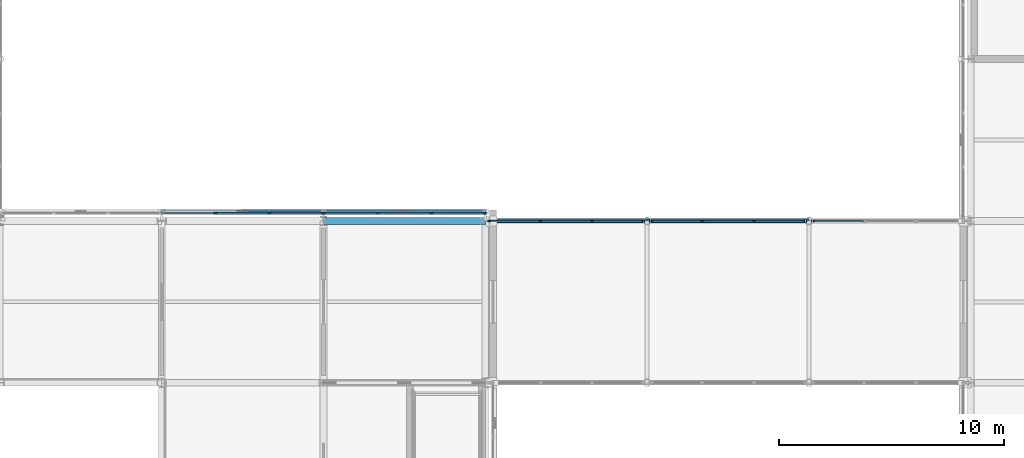
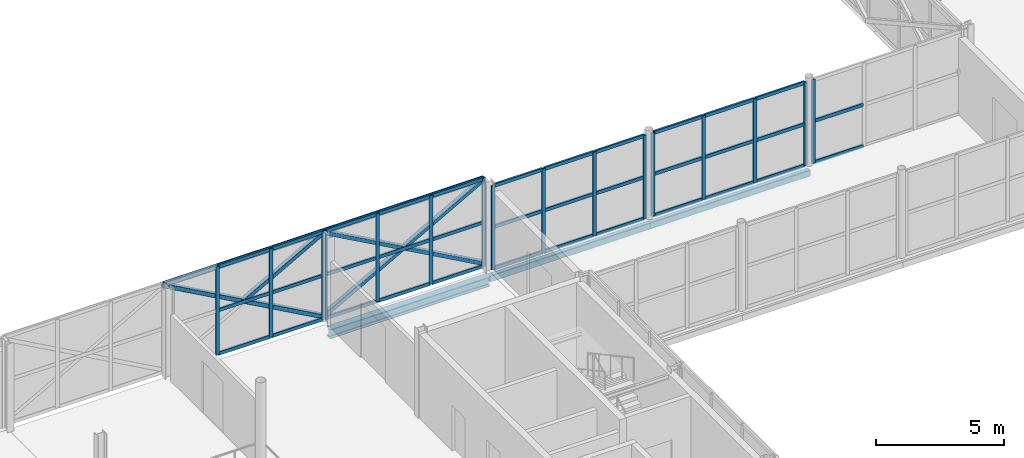
# One storey, part 47 of 146: 58 members, 3 beams, 5 elements without a shape of their own.
"""IFC4 building model written with IfcOpenShell, lengths in metres."""

from ifc_helpers import new_model, si_unit, direction, frame, origin, origin_2d, place, context, subcontext, project, spatial, rectangle, hollow_rectangle, i_section, extrude, material, material_profile, profile_set, type_object, element, aggregate, save


model = new_model("IFC4")

# Units and contexts
model_context = context("Model", 3, precision=1e-05, world=origin(), true_north=direction((0.0, 1.0)))
body_context = subcontext(model_context, "Body", "Model", "MODEL_VIEW")
ifc_project = project(units=[si_unit("LENGTHUNIT", "METRE"), si_unit("AREAUNIT", "SQUARE_METRE"), si_unit("VOLUMEUNIT", "CUBIC_METRE"), si_unit("PLANEANGLEUNIT", "RADIAN"), si_unit("MASSUNIT", "GRAM", prefix="KILO")], contexts=[model_context])

# Site, building, storey
site_placement = place(None, origin())
site = spatial("IfcSite", under=ifc_project, at=site_placement, CompositionType="ELEMENT")
building_placement = place(site_placement, origin())
building = spatial("IfcBuilding", under=site, at=building_placement, Name="Zlatovets Crest Museum", CompositionType="ELEMENT")
storey_placement = place(building_placement, frame((0.0, 0.0, 4.5)))
storey = spatial("IfcBuildingStorey", under=building, at=storey_placement, Name="L01", CompositionType="ELEMENT", Elevation=4.5)

# Beams
ifc_material_1 = material(Name="Structural steel S355J2", Category="steel")
ifc_material_profile_1 = material_profile(ifc_material_1, i_section(OverallWidth=0.300048828125, OverallDepth=0.43994140625, WebThickness=0.011474609375, FlangeThickness=0.02099609375, FilletRadius=0.027099609375, at=origin_2d()), Name="HEA 450")
ifc_profile_set_1 = profile_set([ifc_material_profile_1], Name="Structural steel S355J2")
beam_type_1 = type_object("IfcBeamType", Name="Beam_B-10", PredefinedType="BEAM", material=ifc_profile_set_1)
beam_placement = place(storey_placement, frame((100.800048828125, 28.800048828125, -0.43994140625), z_axis=(1.0, 0.0, 0.0), x_axis=(0.0, 1.0, 0.0)))
element("IfcBeam", 1, at=beam_placement, inside=storey, type_object=beam_type_1, Name="V2 L01 Primary Girder B-10", PredefinedType="BEAM", context=body_context, shape_type="SweptSolid", body=[
    extrude(i_section(OverallWidth=0.300048828125, OverallDepth=0.43994140625, WebThickness=0.011474609375, FlangeThickness=0.02099609375, FilletRadius=0.027099609375, at=origin_2d()), origin(), (0.0, 0.0, 1.0), 7.199951171875),
])
ifc_material_profile_2 = material_profile(ifc_material_1, hollow_rectangle(XDim=0.199951171875, YDim=0.300048828125, WallThickness=0.012451171875, InnerFilletRadius=0.012451171875, OuterFilletRadius=0.02490234375, at=origin_2d()), Name="RHS 200x300x12.5")
ifc_profile_set_2 = profile_set([ifc_material_profile_2], Name="Structural steel S355J2")
beam_type_2 = type_object("IfcBeamType", Name="Beam_BRG-01", PredefinedType="BEAM", material=ifc_profile_set_2)
for number, where, z_axis, x_axis, name in (
    (2, (108.0, 28.800048828125, -0.3701171875), (1.0, 0.0, 0.0), (0.0, 1.0, 0.0), "Southeast Archive Glazed Link Bridge L01 Stringer Beam"),
    (3, (115.199951171875, 28.800048828125, -0.3701171875), (1.0, 0.0, 0.0), (0.0, 1.0, 0.0), "Southeast Archive Glazed Link Bridge L01 Stringer Beam"),
):
    element("IfcBeam", number, at=place(storey_placement, frame(where, z_axis=z_axis, x_axis=x_axis)), inside=storey, type_object=beam_type_2, Name=name, PredefinedType="BEAM", context=body_context, shape_type="SweptSolid", body=[
        extrude(hollow_rectangle(XDim=0.199951171875, YDim=0.300048828125, WallThickness=0.012451171875, InnerFilletRadius=0.012451171875, OuterFilletRadius=0.02490234375, at=origin_2d()), origin(), (0.0, 0.0, 1.0), 7.199951171875),
    ])

# Curtain wall, members
ifc_material_2 = material(Name="Bronze-anodised aluminium and low-E triple glass", Category="aluminium")
curtain_wall_type_1 = type_object("IfcCurtainWallType", Name="CW_CW-V2-L01-M3", PredefinedType="NOTDEFINED", material=ifc_material_2)
curtain_wall_1_placement = place(storey_placement, origin())
curtain_wall_1 = element("IfcCurtainWall", 4, at=curtain_wall_1_placement, inside=storey, type_object=curtain_wall_type_1, Name="V2 L01 Secession Foyer Clear Curtain Wall", PredefinedType="NOTDEFINED")
ifc_material_3 = material(Name="Bronze-anodised aluminium EN AW-6060", Category="aluminium")
ifc_material_profile_3 = material_profile(ifc_material_3, rectangle(XDim=0.080078125, YDim=0.159912109375, at=origin_2d()), Name="ALU 80x160")
ifc_profile_set_3 = profile_set([ifc_material_profile_3], Name="Bronze-anodised aluminium EN AW-6060")
member_type_1 = type_object("IfcMemberType", Name="CWMull_M1", PredefinedType="MULLION", material=ifc_profile_set_3)
member_1_placement = place(storey_placement, frame((107.969970703125, 29.139892578125, 0.0), z_axis=(0.0, 0.0, 1.0), x_axis=(0.0, -1.0, 0.0)))
member_1 = element("IfcMember", 5, at=member_1_placement, type_object=member_type_1, Name="CW-V2-L01-M3 mullion 1", PredefinedType="MULLION", context=body_context, shape_type="SweptSolid", body=[
    extrude(rectangle(XDim=0.080078125, YDim=0.159912109375, at=origin_2d()), origin(), (0.0, 0.0, 1.0), 4.199951171875),
])
member_2_placement = place(storey_placement, frame((105.60009765625, 29.139892578125, 0.0), z_axis=(0.0, 0.0, 1.0), x_axis=(0.0, -1.0, 0.0)))
member_2 = element("IfcMember", 6, at=member_2_placement, type_object=member_type_1, Name="CW-V2-L01-M3 mullion 2", PredefinedType="MULLION", context=body_context, shape_type="SweptSolid", body=[
    extrude(rectangle(XDim=0.080078125, YDim=0.159912109375, at=origin_2d()), origin(), (0.0, 0.0, 1.0), 4.199951171875),
])
member_3_placement = place(storey_placement, frame((103.199951171875, 29.139892578125, 0.0), z_axis=(0.0, 0.0, 1.0), x_axis=(0.0, -1.0, 0.0)))
member_3 = element("IfcMember", 7, at=member_3_placement, type_object=member_type_1, Name="CW-V2-L01-M3 mullion 3", PredefinedType="MULLION", context=body_context, shape_type="SweptSolid", body=[
    extrude(rectangle(XDim=0.080078125, YDim=0.159912109375, at=origin_2d()), origin(), (0.0, 0.0, 1.0), 4.199951171875),
])
member_4_placement = place(storey_placement, frame((100.830078125, 29.139892578125, 0.0), z_axis=(0.0, 0.0, 1.0), x_axis=(0.0, -1.0, 0.0)))
member_4 = element("IfcMember", 8, at=member_4_placement, type_object=member_type_1, Name="CW-V2-L01-M3 mullion 4", PredefinedType="MULLION", context=body_context, shape_type="SweptSolid", body=[
    extrude(rectangle(XDim=0.080078125, YDim=0.159912109375, at=origin_2d()), origin(), (0.0, 0.0, 1.0), 4.199951171875),
])

curtain_wall_type_2 = type_object("IfcCurtainWallType", Name="CW_CW-V2-L01-M0", PredefinedType="NOTDEFINED", material=ifc_material_2)
curtain_wall_2_placement = place(storey_placement, origin())
curtain_wall_2 = element("IfcCurtainWall", 9, at=curtain_wall_2_placement, inside=storey, type_object=curtain_wall_type_2, Name="V2 L01 Secession Foyer Clear Curtain Wall", PredefinedType="NOTDEFINED")
member_5_placement = place(storey_placement, frame((100.77001953125, 29.139892578125, 0.0), z_axis=(0.0, 0.0, 1.0), x_axis=(0.0, -1.0, 0.0)))
member_5 = element("IfcMember", 10, at=member_5_placement, type_object=member_type_1, Name="CW-V2-L01-M0 mullion 1", PredefinedType="MULLION", context=body_context, shape_type="SweptSolid", body=[
    extrude(rectangle(XDim=0.080078125, YDim=0.159912109375, at=origin_2d()), origin(), (0.0, 0.0, 1.0), 4.199951171875),
])
member_6_placement = place(storey_placement, frame((98.39990234375, 29.139892578125, 0.0), z_axis=(0.0, 0.0, 1.0), x_axis=(0.0, -1.0, 0.0)))
member_6 = element("IfcMember", 11, at=member_6_placement, type_object=member_type_1, Name="CW-V2-L01-M0 mullion 2", PredefinedType="MULLION", context=body_context, shape_type="SweptSolid", body=[
    extrude(rectangle(XDim=0.080078125, YDim=0.159912109375, at=origin_2d()), origin(), (0.0, 0.0, 1.0), 4.199951171875),
])
member_7_placement = place(storey_placement, frame((96.0, 29.139892578125, 0.0), z_axis=(0.0, 0.0, 1.0), x_axis=(0.0, -1.0, 0.0)))
member_7 = element("IfcMember", 12, at=member_7_placement, type_object=member_type_1, Name="CW-V2-L01-M0 mullion 3", PredefinedType="MULLION", context=body_context, shape_type="SweptSolid", body=[
    extrude(rectangle(XDim=0.080078125, YDim=0.159912109375, at=origin_2d()), origin(), (0.0, 0.0, 1.0), 4.199951171875),
])

curtain_wall_type_3 = type_object("IfcCurtainWallType", Name="CW_CW-BR4-L01-S69", PredefinedType="NOTDEFINED", material=ifc_material_2)
curtain_wall_3_placement = place(storey_placement, origin())
curtain_wall_3 = element("IfcCurtainWall", 13, at=curtain_wall_3_placement, inside=storey, type_object=curtain_wall_type_3, Name="Southeast Archive Glazed Link Bridge L01 Glazed Bridge Curtain Wall", PredefinedType="NOTDEFINED")
member_8_placement = place(storey_placement, frame((108.179931640625, 28.800048828125, 0.0), z_axis=(0.0, 0.0, 1.0), x_axis=(0.0, 1.0, 0.0)))
member_8 = element("IfcMember", 14, at=member_8_placement, type_object=member_type_1, Name="CW-BR4-L01-S69 mullion 1", PredefinedType="MULLION", context=body_context, shape_type="SweptSolid", body=[
    extrude(rectangle(XDim=0.080078125, YDim=0.159912109375, at=origin_2d()), origin(), (0.0, 0.0, 1.0), 3.97998046875),
])
member_9_placement = place(storey_placement, frame((110.449951171875, 28.800048828125, 0.0), z_axis=(0.0, 0.0, 1.0), x_axis=(0.0, 1.0, 0.0)))
member_9 = element("IfcMember", 15, at=member_9_placement, type_object=member_type_1, Name="CW-BR4-L01-S69 mullion 2", PredefinedType="MULLION", context=body_context, shape_type="SweptSolid", body=[
    extrude(rectangle(XDim=0.080078125, YDim=0.159912109375, at=origin_2d()), origin(), (0.0, 0.0, 1.0), 3.97998046875),
])
member_10_placement = place(storey_placement, frame((112.75, 28.800048828125, 0.0), z_axis=(0.0, 0.0, 1.0), x_axis=(0.0, 1.0, 0.0)))
member_10 = element("IfcMember", 16, at=member_10_placement, type_object=member_type_1, Name="CW-BR4-L01-S69 mullion 3", PredefinedType="MULLION", context=body_context, shape_type="SweptSolid", body=[
    extrude(rectangle(XDim=0.080078125, YDim=0.159912109375, at=origin_2d()), origin(), (0.0, 0.0, 1.0), 3.97998046875),
])
member_11_placement = place(storey_placement, frame((115.02001953125, 28.800048828125, 0.0), z_axis=(0.0, 0.0, 1.0), x_axis=(0.0, 1.0, 0.0)))
member_11 = element("IfcMember", 17, at=member_11_placement, type_object=member_type_1, Name="CW-BR4-L01-S69 mullion 4", PredefinedType="MULLION", context=body_context, shape_type="SweptSolid", body=[
    extrude(rectangle(XDim=0.080078125, YDim=0.159912109375, at=origin_2d()), origin(), (0.0, 0.0, 1.0), 3.97998046875),
])

curtain_wall_4_placement = place(storey_placement, origin())
curtain_wall_4 = element("IfcCurtainWall", 18, at=curtain_wall_4_placement, inside=storey, type_object=curtain_wall_type_3, Name="Southeast Archive Glazed Link Bridge L01 Glazed Bridge Curtain Wall", PredefinedType="NOTDEFINED")
member_12_placement = place(storey_placement, frame((115.3798828125, 28.800048828125, 0.0), z_axis=(0.0, 0.0, 1.0), x_axis=(0.0, 1.0, 0.0)))
member_12 = element("IfcMember", 19, at=member_12_placement, type_object=member_type_1, Name="CW-BR4-L01-S69 mullion 1", PredefinedType="MULLION", context=body_context, shape_type="SweptSolid", body=[
    extrude(rectangle(XDim=0.080078125, YDim=0.159912109375, at=origin_2d()), origin(), (0.0, 0.0, 1.0), 3.97998046875),
])
member_13_placement = place(storey_placement, frame((117.64990234375, 28.800048828125, 0.0), z_axis=(0.0, 0.0, 1.0), x_axis=(0.0, 1.0, 0.0)))
member_13 = element("IfcMember", 20, at=member_13_placement, type_object=member_type_1, Name="CW-BR4-L01-S69 mullion 2", PredefinedType="MULLION", context=body_context, shape_type="SweptSolid", body=[
    extrude(rectangle(XDim=0.080078125, YDim=0.159912109375, at=origin_2d()), origin(), (0.0, 0.0, 1.0), 3.97998046875),
])
member_14_placement = place(storey_placement, frame((119.949951171875, 28.800048828125, 0.0), z_axis=(0.0, 0.0, 1.0), x_axis=(0.0, 1.0, 0.0)))
member_14 = element("IfcMember", 21, at=member_14_placement, type_object=member_type_1, Name="CW-BR4-L01-S69 mullion 3", PredefinedType="MULLION", context=body_context, shape_type="SweptSolid", body=[
    extrude(rectangle(XDim=0.080078125, YDim=0.159912109375, at=origin_2d()), origin(), (0.0, 0.0, 1.0), 3.97998046875),
])
member_15_placement = place(storey_placement, frame((122.219970703125, 28.800048828125, 0.0), z_axis=(0.0, 0.0, 1.0), x_axis=(0.0, 1.0, 0.0)))
member_15 = element("IfcMember", 22, at=member_15_placement, type_object=member_type_1, Name="CW-BR4-L01-S69 mullion 4", PredefinedType="MULLION", context=body_context, shape_type="SweptSolid", body=[
    extrude(rectangle(XDim=0.080078125, YDim=0.159912109375, at=origin_2d()), origin(), (0.0, 0.0, 1.0), 3.97998046875),
])

# Curtain wall, member
curtain_wall_5_placement = place(storey_placement, origin())
curtain_wall_5 = element("IfcCurtainWall", 23, at=curtain_wall_5_placement, inside=storey, type_object=curtain_wall_type_3, Name="Southeast Archive Glazed Link Bridge L01 Glazed Bridge Curtain Wall", PredefinedType="NOTDEFINED")
member_16_placement = place(storey_placement, frame((122.580078125, 28.800048828125, 0.0), z_axis=(0.0, 0.0, 1.0), x_axis=(0.0, 1.0, 0.0)))
member_16 = element("IfcMember", 24, at=member_16_placement, type_object=member_type_1, Name="CW-BR4-L01-S69 mullion 1", PredefinedType="MULLION", context=body_context, shape_type="SweptSolid", body=[
    extrude(rectangle(XDim=0.080078125, YDim=0.159912109375, at=origin_2d()), origin(), (0.0, 0.0, 1.0), 3.97998046875),
])

# Member
ifc_material_profile_4 = material_profile(ifc_material_3, rectangle(XDim=0.080078125, YDim=0.159912109375, at=origin_2d()), Name="ALU 80x160")
ifc_profile_set_4 = profile_set([ifc_material_profile_4], Name="Bronze-anodised aluminium EN AW-6060")
member_type_2 = type_object("IfcMemberType", Name="CWTrans_T1", PredefinedType="USERDEFINED", material=ifc_profile_set_4)
member_17_placement = place(storey_placement, frame((107.93994140625, 29.139892578125, 0.030029296875), z_axis=(-1.0, 0.0, 0.0), x_axis=(0.0, -1.0, 0.0)))
member_17 = element("IfcMember", 25, at=member_17_placement, type_object=member_type_2, Name="CW-V2-L01-M3 transom 1.1", ObjectType="TRANSOM", PredefinedType="USERDEFINED", context=body_context, shape_type="SweptSolid", body=[
    extrude(rectangle(XDim=0.080078125, YDim=0.159912109375, at=origin_2d()), origin(), (0.0, 0.0, 1.0), 2.31005859375),
])

member_18_placement = place(storey_placement, frame((107.93994140625, 29.139892578125, 2.10009765625), z_axis=(-1.0, 0.0, 0.0), x_axis=(0.0, -1.0, 0.0)))
member_18 = element("IfcMember", 26, at=member_18_placement, type_object=member_type_2, Name="CW-V2-L01-M3 transom 1.2", ObjectType="TRANSOM", PredefinedType="USERDEFINED", context=body_context, shape_type="SweptSolid", body=[
    extrude(rectangle(XDim=0.080078125, YDim=0.159912109375, at=origin_2d()), origin(), (0.0, 0.0, 1.0), 2.31005859375),
])

member_19_placement = place(storey_placement, frame((107.93994140625, 29.139892578125, 4.169921875), z_axis=(-1.0, 0.0, 0.0), x_axis=(0.0, -1.0, 0.0)))
member_19 = element("IfcMember", 27, at=member_19_placement, type_object=member_type_2, Name="CW-V2-L01-M3 transom 1.3", ObjectType="TRANSOM", PredefinedType="USERDEFINED", context=body_context, shape_type="SweptSolid", body=[
    extrude(rectangle(XDim=0.080078125, YDim=0.159912109375, at=origin_2d()), origin(), (0.0, 0.0, 1.0), 2.31005859375),
])

member_20_placement = place(storey_placement, frame((105.570068359375, 29.139892578125, 0.030029296875), z_axis=(-1.0, 0.0, 0.0), x_axis=(0.0, -1.0, 0.0)))
member_20 = element("IfcMember", 28, at=member_20_placement, type_object=member_type_2, Name="CW-V2-L01-M3 transom 2.1", ObjectType="TRANSOM", PredefinedType="USERDEFINED", context=body_context, shape_type="SweptSolid", body=[
    extrude(rectangle(XDim=0.080078125, YDim=0.159912109375, at=origin_2d()), origin(), (0.0, 0.0, 1.0), 2.340087890625),
])

member_21_placement = place(storey_placement, frame((105.570068359375, 29.139892578125, 2.10009765625), z_axis=(-1.0, 0.0, 0.0), x_axis=(0.0, -1.0, 0.0)))
member_21 = element("IfcMember", 29, at=member_21_placement, type_object=member_type_2, Name="CW-V2-L01-M3 transom 2.2", ObjectType="TRANSOM", PredefinedType="USERDEFINED", context=body_context, shape_type="SweptSolid", body=[
    extrude(rectangle(XDim=0.080078125, YDim=0.159912109375, at=origin_2d()), origin(), (0.0, 0.0, 1.0), 2.340087890625),
])

member_22_placement = place(storey_placement, frame((105.570068359375, 29.139892578125, 4.169921875), z_axis=(-1.0, 0.0, 0.0), x_axis=(0.0, -1.0, 0.0)))
member_22 = element("IfcMember", 30, at=member_22_placement, type_object=member_type_2, Name="CW-V2-L01-M3 transom 2.3", ObjectType="TRANSOM", PredefinedType="USERDEFINED", context=body_context, shape_type="SweptSolid", body=[
    extrude(rectangle(XDim=0.080078125, YDim=0.159912109375, at=origin_2d()), origin(), (0.0, 0.0, 1.0), 2.340087890625),
])

member_23_placement = place(storey_placement, frame((103.169921875, 29.139892578125, 0.030029296875), z_axis=(-1.0, 0.0, 0.0), x_axis=(0.0, -1.0, 0.0)))
member_23 = element("IfcMember", 31, at=member_23_placement, type_object=member_type_2, Name="CW-V2-L01-M3 transom 3.1", ObjectType="TRANSOM", PredefinedType="USERDEFINED", context=body_context, shape_type="SweptSolid", body=[
    extrude(rectangle(XDim=0.080078125, YDim=0.159912109375, at=origin_2d()), origin(), (0.0, 0.0, 1.0), 2.309814453125),
])

member_24_placement = place(storey_placement, frame((103.169921875, 29.139892578125, 2.10009765625), z_axis=(-1.0, 0.0, 0.0), x_axis=(0.0, -1.0, 0.0)))
member_24 = element("IfcMember", 32, at=member_24_placement, type_object=member_type_2, Name="CW-V2-L01-M3 transom 3.2", ObjectType="TRANSOM", PredefinedType="USERDEFINED", context=body_context, shape_type="SweptSolid", body=[
    extrude(rectangle(XDim=0.080078125, YDim=0.159912109375, at=origin_2d()), origin(), (0.0, 0.0, 1.0), 2.309814453125),
])

member_25_placement = place(storey_placement, frame((103.169921875, 29.139892578125, 4.169921875), z_axis=(-1.0, 0.0, 0.0), x_axis=(0.0, -1.0, 0.0)))
member_25 = element("IfcMember", 33, at=member_25_placement, type_object=member_type_2, Name="CW-V2-L01-M3 transom 3.3", ObjectType="TRANSOM", PredefinedType="USERDEFINED", context=body_context, shape_type="SweptSolid", body=[
    extrude(rectangle(XDim=0.080078125, YDim=0.159912109375, at=origin_2d()), origin(), (0.0, 0.0, 1.0), 2.309814453125),
])

aggregate(curtain_wall_1, [member_1, member_2, member_3, member_4, member_17, member_18, member_19, member_20, member_21, member_22, member_23, member_24, member_25])

member_26_placement = place(storey_placement, frame((100.739990234375, 29.139892578125, 0.030029296875), z_axis=(-1.0, 0.0, 0.0), x_axis=(0.0, -1.0, 0.0)))
member_26 = element("IfcMember", 34, at=member_26_placement, type_object=member_type_2, Name="CW-V2-L01-M0 transom 1.1", ObjectType="TRANSOM", PredefinedType="USERDEFINED", context=body_context, shape_type="SweptSolid", body=[
    extrude(rectangle(XDim=0.080078125, YDim=0.159912109375, at=origin_2d()), origin(), (0.0, 0.0, 1.0), 2.31005859375),
])

member_27_placement = place(storey_placement, frame((100.739990234375, 29.139892578125, 2.10009765625), z_axis=(-1.0, 0.0, 0.0), x_axis=(0.0, -1.0, 0.0)))
member_27 = element("IfcMember", 35, at=member_27_placement, type_object=member_type_2, Name="CW-V2-L01-M0 transom 1.2", ObjectType="TRANSOM", PredefinedType="USERDEFINED", context=body_context, shape_type="SweptSolid", body=[
    extrude(rectangle(XDim=0.080078125, YDim=0.159912109375, at=origin_2d()), origin(), (0.0, 0.0, 1.0), 2.31005859375),
])

member_28_placement = place(storey_placement, frame((100.739990234375, 29.139892578125, 4.169921875), z_axis=(-1.0, 0.0, 0.0), x_axis=(0.0, -1.0, 0.0)))
member_28 = element("IfcMember", 36, at=member_28_placement, type_object=member_type_2, Name="CW-V2-L01-M0 transom 1.3", ObjectType="TRANSOM", PredefinedType="USERDEFINED", context=body_context, shape_type="SweptSolid", body=[
    extrude(rectangle(XDim=0.080078125, YDim=0.159912109375, at=origin_2d()), origin(), (0.0, 0.0, 1.0), 2.31005859375),
])

member_29_placement = place(storey_placement, frame((98.3701171875, 29.139892578125, 0.030029296875), z_axis=(-1.0, 0.0, 0.0), x_axis=(0.0, -1.0, 0.0)))
member_29 = element("IfcMember", 37, at=member_29_placement, type_object=member_type_2, Name="CW-V2-L01-M0 transom 2.1", ObjectType="TRANSOM", PredefinedType="USERDEFINED", context=body_context, shape_type="SweptSolid", body=[
    extrude(rectangle(XDim=0.080078125, YDim=0.159912109375, at=origin_2d()), origin(), (0.0, 0.0, 1.0), 2.340087890625),
])

member_30_placement = place(storey_placement, frame((98.3701171875, 29.139892578125, 2.10009765625), z_axis=(-1.0, 0.0, 0.0), x_axis=(0.0, -1.0, 0.0)))
member_30 = element("IfcMember", 38, at=member_30_placement, type_object=member_type_2, Name="CW-V2-L01-M0 transom 2.2", ObjectType="TRANSOM", PredefinedType="USERDEFINED", context=body_context, shape_type="SweptSolid", body=[
    extrude(rectangle(XDim=0.080078125, YDim=0.159912109375, at=origin_2d()), origin(), (0.0, 0.0, 1.0), 2.340087890625),
])

member_31_placement = place(storey_placement, frame((98.3701171875, 29.139892578125, 4.169921875), z_axis=(-1.0, 0.0, 0.0), x_axis=(0.0, -1.0, 0.0)))
member_31 = element("IfcMember", 39, at=member_31_placement, type_object=member_type_2, Name="CW-V2-L01-M0 transom 2.3", ObjectType="TRANSOM", PredefinedType="USERDEFINED", context=body_context, shape_type="SweptSolid", body=[
    extrude(rectangle(XDim=0.080078125, YDim=0.159912109375, at=origin_2d()), origin(), (0.0, 0.0, 1.0), 2.340087890625),
])

aggregate(curtain_wall_2, [member_5, member_6, member_7, member_26, member_27, member_28, member_29, member_30, member_31])

member_32_placement = place(storey_placement, frame((108.2099609375, 28.800048828125, 0.030029296875), z_axis=(1.0, 0.0, 0.0), x_axis=(0.0, 1.0, 0.0)))
member_32 = element("IfcMember", 40, at=member_32_placement, type_object=member_type_2, Name="CW-BR4-L01-S69 transom 1.1", ObjectType="TRANSOM", PredefinedType="USERDEFINED", context=body_context, shape_type="SweptSolid", body=[
    extrude(rectangle(XDim=0.080078125, YDim=0.159912109375, at=origin_2d()), origin(), (0.0, 0.0, 1.0), 2.2099609375),
])

member_33_placement = place(storey_placement, frame((108.2099609375, 28.800048828125, 1.989990234375), z_axis=(1.0, 0.0, 0.0), x_axis=(0.0, 1.0, 0.0)))
member_33 = element("IfcMember", 41, at=member_33_placement, type_object=member_type_2, Name="CW-BR4-L01-S69 transom 1.2", ObjectType="TRANSOM", PredefinedType="USERDEFINED", context=body_context, shape_type="SweptSolid", body=[
    extrude(rectangle(XDim=0.080078125, YDim=0.159912109375, at=origin_2d()), origin(), (0.0, 0.0, 1.0), 2.2099609375),
])

member_34_placement = place(storey_placement, frame((108.2099609375, 28.800048828125, 3.949951171875), z_axis=(1.0, 0.0, 0.0), x_axis=(0.0, 1.0, 0.0)))
member_34 = element("IfcMember", 42, at=member_34_placement, type_object=member_type_2, Name="CW-BR4-L01-S69 transom 1.3", ObjectType="TRANSOM", PredefinedType="USERDEFINED", context=body_context, shape_type="SweptSolid", body=[
    extrude(rectangle(XDim=0.080078125, YDim=0.159912109375, at=origin_2d()), origin(), (0.0, 0.0, 1.0), 2.2099609375),
])

member_35_placement = place(storey_placement, frame((110.47998046875, 28.800048828125, 0.030029296875), z_axis=(1.0, 0.0, 0.0), x_axis=(0.0, 1.0, 0.0)))
member_35 = element("IfcMember", 43, at=member_35_placement, type_object=member_type_2, Name="CW-BR4-L01-S69 transom 2.1", ObjectType="TRANSOM", PredefinedType="USERDEFINED", context=body_context, shape_type="SweptSolid", body=[
    extrude(rectangle(XDim=0.080078125, YDim=0.159912109375, at=origin_2d()), origin(), (0.0, 0.0, 1.0), 2.239990234375),
])

member_36_placement = place(storey_placement, frame((110.47998046875, 28.800048828125, 1.989990234375), z_axis=(1.0, 0.0, 0.0), x_axis=(0.0, 1.0, 0.0)))
member_36 = element("IfcMember", 44, at=member_36_placement, type_object=member_type_2, Name="CW-BR4-L01-S69 transom 2.2", ObjectType="TRANSOM", PredefinedType="USERDEFINED", context=body_context, shape_type="SweptSolid", body=[
    extrude(rectangle(XDim=0.080078125, YDim=0.159912109375, at=origin_2d()), origin(), (0.0, 0.0, 1.0), 2.239990234375),
])

member_37_placement = place(storey_placement, frame((110.47998046875, 28.800048828125, 3.949951171875), z_axis=(1.0, 0.0, 0.0), x_axis=(0.0, 1.0, 0.0)))
member_37 = element("IfcMember", 45, at=member_37_placement, type_object=member_type_2, Name="CW-BR4-L01-S69 transom 2.3", ObjectType="TRANSOM", PredefinedType="USERDEFINED", context=body_context, shape_type="SweptSolid", body=[
    extrude(rectangle(XDim=0.080078125, YDim=0.159912109375, at=origin_2d()), origin(), (0.0, 0.0, 1.0), 2.239990234375),
])

member_38_placement = place(storey_placement, frame((112.780029296875, 28.800048828125, 0.030029296875), z_axis=(1.0, 0.0, 0.0), x_axis=(0.0, 1.0, 0.0)))
member_38 = element("IfcMember", 46, at=member_38_placement, type_object=member_type_2, Name="CW-BR4-L01-S69 transom 3.1", ObjectType="TRANSOM", PredefinedType="USERDEFINED", context=body_context, shape_type="SweptSolid", body=[
    extrude(rectangle(XDim=0.080078125, YDim=0.159912109375, at=origin_2d()), origin(), (0.0, 0.0, 1.0), 2.2099609375),
])

member_39_placement = place(storey_placement, frame((112.780029296875, 28.800048828125, 1.989990234375), z_axis=(1.0, 0.0, 0.0), x_axis=(0.0, 1.0, 0.0)))
member_39 = element("IfcMember", 47, at=member_39_placement, type_object=member_type_2, Name="CW-BR4-L01-S69 transom 3.2", ObjectType="TRANSOM", PredefinedType="USERDEFINED", context=body_context, shape_type="SweptSolid", body=[
    extrude(rectangle(XDim=0.080078125, YDim=0.159912109375, at=origin_2d()), origin(), (0.0, 0.0, 1.0), 2.2099609375),
])

member_40_placement = place(storey_placement, frame((112.780029296875, 28.800048828125, 3.949951171875), z_axis=(1.0, 0.0, 0.0), x_axis=(0.0, 1.0, 0.0)))
member_40 = element("IfcMember", 48, at=member_40_placement, type_object=member_type_2, Name="CW-BR4-L01-S69 transom 3.3", ObjectType="TRANSOM", PredefinedType="USERDEFINED", context=body_context, shape_type="SweptSolid", body=[
    extrude(rectangle(XDim=0.080078125, YDim=0.159912109375, at=origin_2d()), origin(), (0.0, 0.0, 1.0), 2.2099609375),
])

aggregate(curtain_wall_3, [member_8, member_9, member_10, member_11, member_32, member_33, member_34, member_35, member_36, member_37, member_38, member_39, member_40])

member_41_placement = place(storey_placement, frame((115.409912109375, 28.800048828125, 0.030029296875), z_axis=(1.0, 0.0, 0.0), x_axis=(0.0, 1.0, 0.0)))
member_41 = element("IfcMember", 49, at=member_41_placement, type_object=member_type_2, Name="CW-BR4-L01-S69 transom 1.1", ObjectType="TRANSOM", PredefinedType="USERDEFINED", context=body_context, shape_type="SweptSolid", body=[
    extrude(rectangle(XDim=0.080078125, YDim=0.159912109375, at=origin_2d()), origin(), (0.0, 0.0, 1.0), 2.210205078125),
])

member_42_placement = place(storey_placement, frame((115.409912109375, 28.800048828125, 1.989990234375), z_axis=(1.0, 0.0, 0.0), x_axis=(0.0, 1.0, 0.0)))
member_42 = element("IfcMember", 50, at=member_42_placement, type_object=member_type_2, Name="CW-BR4-L01-S69 transom 1.2", ObjectType="TRANSOM", PredefinedType="USERDEFINED", context=body_context, shape_type="SweptSolid", body=[
    extrude(rectangle(XDim=0.080078125, YDim=0.159912109375, at=origin_2d()), origin(), (0.0, 0.0, 1.0), 2.210205078125),
])

member_43_placement = place(storey_placement, frame((115.409912109375, 28.800048828125, 3.949951171875), z_axis=(1.0, 0.0, 0.0), x_axis=(0.0, 1.0, 0.0)))
member_43 = element("IfcMember", 51, at=member_43_placement, type_object=member_type_2, Name="CW-BR4-L01-S69 transom 1.3", ObjectType="TRANSOM", PredefinedType="USERDEFINED", context=body_context, shape_type="SweptSolid", body=[
    extrude(rectangle(XDim=0.080078125, YDim=0.159912109375, at=origin_2d()), origin(), (0.0, 0.0, 1.0), 2.210205078125),
])

member_44_placement = place(storey_placement, frame((117.679931640625, 28.800048828125, 0.030029296875), z_axis=(1.0, 0.0, 0.0), x_axis=(0.0, 1.0, 0.0)))
member_44 = element("IfcMember", 52, at=member_44_placement, type_object=member_type_2, Name="CW-BR4-L01-S69 transom 2.1", ObjectType="TRANSOM", PredefinedType="USERDEFINED", context=body_context, shape_type="SweptSolid", body=[
    extrude(rectangle(XDim=0.080078125, YDim=0.159912109375, at=origin_2d()), origin(), (0.0, 0.0, 1.0), 2.239990234375),
])

member_45_placement = place(storey_placement, frame((117.679931640625, 28.800048828125, 1.989990234375), z_axis=(1.0, 0.0, 0.0), x_axis=(0.0, 1.0, 0.0)))
member_45 = element("IfcMember", 53, at=member_45_placement, type_object=member_type_2, Name="CW-BR4-L01-S69 transom 2.2", ObjectType="TRANSOM", PredefinedType="USERDEFINED", context=body_context, shape_type="SweptSolid", body=[
    extrude(rectangle(XDim=0.080078125, YDim=0.159912109375, at=origin_2d()), origin(), (0.0, 0.0, 1.0), 2.239990234375),
])

member_46_placement = place(storey_placement, frame((117.679931640625, 28.800048828125, 3.949951171875), z_axis=(1.0, 0.0, 0.0), x_axis=(0.0, 1.0, 0.0)))
member_46 = element("IfcMember", 54, at=member_46_placement, type_object=member_type_2, Name="CW-BR4-L01-S69 transom 2.3", ObjectType="TRANSOM", PredefinedType="USERDEFINED", context=body_context, shape_type="SweptSolid", body=[
    extrude(rectangle(XDim=0.080078125, YDim=0.159912109375, at=origin_2d()), origin(), (0.0, 0.0, 1.0), 2.239990234375),
])

member_47_placement = place(storey_placement, frame((119.97998046875, 28.800048828125, 0.030029296875), z_axis=(1.0, 0.0, 0.0), x_axis=(0.0, 1.0, 0.0)))
member_47 = element("IfcMember", 55, at=member_47_placement, type_object=member_type_2, Name="CW-BR4-L01-S69 transom 3.1", ObjectType="TRANSOM", PredefinedType="USERDEFINED", context=body_context, shape_type="SweptSolid", body=[
    extrude(rectangle(XDim=0.080078125, YDim=0.159912109375, at=origin_2d()), origin(), (0.0, 0.0, 1.0), 2.2099609375),
])

member_48_placement = place(storey_placement, frame((119.97998046875, 28.800048828125, 1.989990234375), z_axis=(1.0, 0.0, 0.0), x_axis=(0.0, 1.0, 0.0)))
member_48 = element("IfcMember", 56, at=member_48_placement, type_object=member_type_2, Name="CW-BR4-L01-S69 transom 3.2", ObjectType="TRANSOM", PredefinedType="USERDEFINED", context=body_context, shape_type="SweptSolid", body=[
    extrude(rectangle(XDim=0.080078125, YDim=0.159912109375, at=origin_2d()), origin(), (0.0, 0.0, 1.0), 2.2099609375),
])

member_49_placement = place(storey_placement, frame((119.97998046875, 28.800048828125, 3.949951171875), z_axis=(1.0, 0.0, 0.0), x_axis=(0.0, 1.0, 0.0)))
member_49 = element("IfcMember", 57, at=member_49_placement, type_object=member_type_2, Name="CW-BR4-L01-S69 transom 3.3", ObjectType="TRANSOM", PredefinedType="USERDEFINED", context=body_context, shape_type="SweptSolid", body=[
    extrude(rectangle(XDim=0.080078125, YDim=0.159912109375, at=origin_2d()), origin(), (0.0, 0.0, 1.0), 2.2099609375),
])

aggregate(curtain_wall_4, [member_12, member_13, member_14, member_15, member_41, member_42, member_43, member_44, member_45, member_46, member_47, member_48, member_49])

member_50_placement = place(storey_placement, frame((122.610107421875, 28.800048828125, 0.030029296875), z_axis=(1.0, 0.0, 0.0), x_axis=(0.0, 1.0, 0.0)))
member_50 = element("IfcMember", 58, at=member_50_placement, type_object=member_type_2, Name="CW-BR4-L01-S69 transom 1.1", ObjectType="TRANSOM", PredefinedType="USERDEFINED", context=body_context, shape_type="SweptSolid", body=[
    extrude(rectangle(XDim=0.080078125, YDim=0.159912109375, at=origin_2d()), origin(), (0.0, 0.0, 1.0), 2.2099609375),
])

member_51_placement = place(storey_placement, frame((122.610107421875, 28.800048828125, 1.989990234375), z_axis=(1.0, 0.0, 0.0), x_axis=(0.0, 1.0, 0.0)))
member_51 = element("IfcMember", 59, at=member_51_placement, type_object=member_type_2, Name="CW-BR4-L01-S69 transom 1.2", ObjectType="TRANSOM", PredefinedType="USERDEFINED", context=body_context, shape_type="SweptSolid", body=[
    extrude(rectangle(XDim=0.080078125, YDim=0.159912109375, at=origin_2d()), origin(), (0.0, 0.0, 1.0), 2.2099609375),
])

aggregate(curtain_wall_5, [member_16, member_50, member_51])

# Members
ifc_material_4 = material(Name="Weathering bronze-steel S355J2W", Category="steel")
ifc_material_profile_5 = material_profile(ifc_material_4, hollow_rectangle(XDim=0.199951171875, YDim=0.199951171875, WallThickness=0.012451171875, InnerFilletRadius=0.012451171875, OuterFilletRadius=0.02490234375, at=origin_2d()), Name="SHS 200x200x12.5")
ifc_profile_set_5 = profile_set([ifc_material_profile_5], Name="Weathering bronze-steel S355J2W")
member_type_3 = type_object("IfcMemberType", Name="Lattice_XL-02", PredefinedType="BRACE", material=ifc_profile_set_5)
member_52_placement = place(storey_placement, frame((108.0, 29.219970703125, 0.10009765625), z_axis=(-0.874155877937, 0.0, 0.485645447903), x_axis=(0.0, -1.0, 0.0)))
element("IfcMember", 60, at=member_52_placement, inside=storey, type_object=member_type_3, Name="Continuous Bronze Lattice Diagonal", PredefinedType="BRACE", context=body_context, shape_type="SweptSolid", body=[
    extrude(hollow_rectangle(XDim=0.199951171875, YDim=0.199951171875, WallThickness=0.012451171875, InnerFilletRadius=0.012451171875, OuterFilletRadius=0.02490234375, at=origin_2d()), origin(), (0.0, 0.0, 1.0), 8.236572265625),
])
member_53_placement = place(storey_placement, frame((108.0, 29.219970703125, 4.10009765625), z_axis=(-0.874140102304, 0.0, -0.485673842763), x_axis=(0.0, -1.0, 0.0)))
element("IfcMember", 61, at=member_53_placement, inside=storey, type_object=member_type_3, Name="Split Crossing Bronze Lattice Diagonal Upper", PredefinedType="BRACE", context=body_context, shape_type="SweptSolid", body=[
    extrude(hollow_rectangle(XDim=0.199951171875, YDim=0.199951171875, WallThickness=0.012451171875, InnerFilletRadius=0.012451171875, OuterFilletRadius=0.02490234375, at=origin_2d()), origin(), (0.0, 0.0, 1.0), 4.0234375),
])
member_54_placement = place(storey_placement, frame((104.31689453125, 29.219970703125, 2.053955078125), z_axis=(-0.874151551165, 0.0, -0.485653235958), x_axis=(0.0, -1.0, 0.0)))
element("IfcMember", 62, at=member_54_placement, inside=storey, type_object=member_type_3, Name="Split Crossing Bronze Lattice Diagonal Lower", PredefinedType="BRACE", context=body_context, shape_type="SweptSolid", body=[
    extrude(hollow_rectangle(XDim=0.199951171875, YDim=0.199951171875, WallThickness=0.012451171875, InnerFilletRadius=0.012451171875, OuterFilletRadius=0.02490234375, at=origin_2d()), origin(), (0.0, 0.0, 1.0), 4.023193359375),
])
member_55_placement = place(storey_placement, frame((100.800048828125, 29.219970703125, 0.10009765625), z_axis=(-0.874155877937, 0.0, 0.485645447903), x_axis=(0.0, -1.0, 0.0)))
element("IfcMember", 63, at=member_55_placement, inside=storey, type_object=member_type_3, Name="Continuous Bronze Lattice Diagonal", PredefinedType="BRACE", context=body_context, shape_type="SweptSolid", body=[
    extrude(hollow_rectangle(XDim=0.199951171875, YDim=0.199951171875, WallThickness=0.012451171875, InnerFilletRadius=0.012451171875, OuterFilletRadius=0.02490234375, at=origin_2d()), origin(), (0.0, 0.0, 1.0), 8.236572265625),
])
member_56_placement = place(storey_placement, frame((100.800048828125, 29.219970703125, 4.10009765625), z_axis=(-0.874140102304, 0.0, -0.485673842763), x_axis=(0.0, -1.0, 0.0)))
element("IfcMember", 64, at=member_56_placement, inside=storey, type_object=member_type_3, Name="Split Crossing Bronze Lattice Diagonal Upper", PredefinedType="BRACE", context=body_context, shape_type="SweptSolid", body=[
    extrude(hollow_rectangle(XDim=0.199951171875, YDim=0.199951171875, WallThickness=0.012451171875, InnerFilletRadius=0.012451171875, OuterFilletRadius=0.02490234375, at=origin_2d()), origin(), (0.0, 0.0, 1.0), 4.0234375),
])
ifc_material_profile_6 = material_profile(ifc_material_4, hollow_rectangle(XDim=0.1201171875, YDim=0.239990234375, WallThickness=0.010009765625, InnerFilletRadius=0.010009765625, OuterFilletRadius=0.02001953125, at=origin_2d()), Name="RHS 120x240x10.0")
ifc_profile_set_6 = profile_set([ifc_material_profile_6], Name="Weathering bronze-steel S355J2W")
member_type_4 = type_object("IfcMemberType", Name="Lattice_XL-04", PredefinedType="CHORD", material=ifc_profile_set_6)
for number, where, z_axis, x_axis, name in (
    (65, (108.0, 29.219970703125, 4.10009765625), (-1.0, 0.0, 0.0), (0.0, -1.0, 0.0), "Art Nouveau Woven Cage Collector Ring Chord"),
    (66, (100.800048828125, 29.219970703125, 4.10009765625), (-1.0, 0.0, 0.0), (0.0, -1.0, 0.0), "Art Nouveau Woven Cage Collector Ring Chord"),
):
    element("IfcMember", number, at=place(storey_placement, frame(where, z_axis=z_axis, x_axis=x_axis)), inside=storey, type_object=member_type_4, Name=name, PredefinedType="CHORD", context=body_context, shape_type="SweptSolid", body=[
        extrude(hollow_rectangle(XDim=0.1201171875, YDim=0.239990234375, WallThickness=0.010009765625, InnerFilletRadius=0.010009765625, OuterFilletRadius=0.02001953125, at=origin_2d()), origin(), (0.0, 0.0, 1.0), 7.199951171875),
    ])

save(model, "model.ifc")
